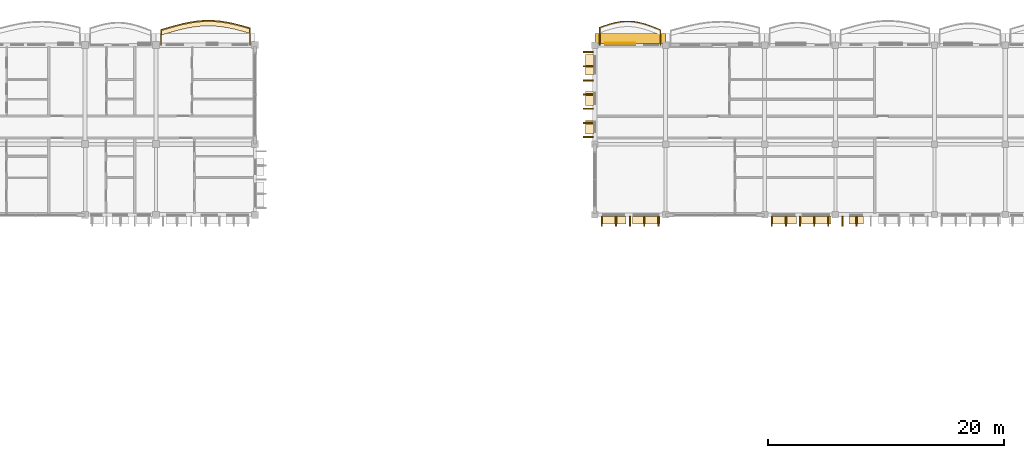
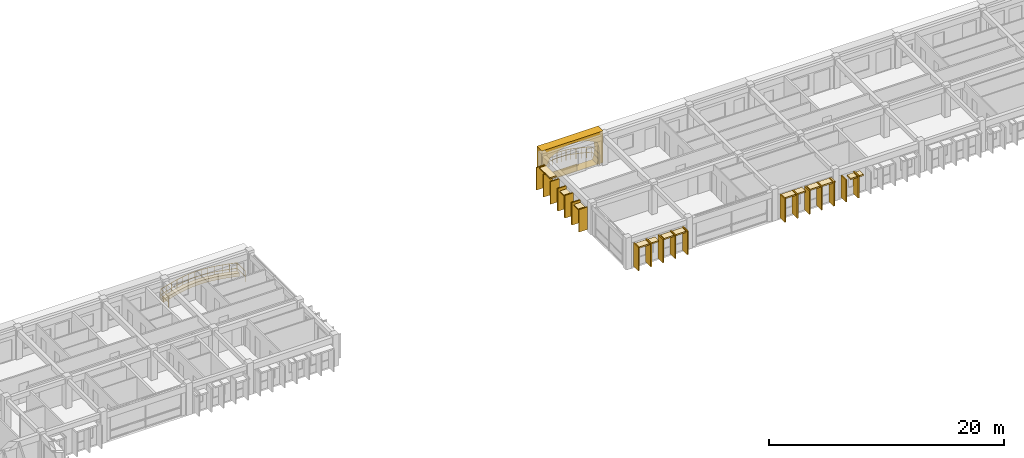
# One storey, part 46 of 54: 30 coverings, 2 railings.
"""IFC4 building model written with IfcOpenShell, lengths in metres."""

from ifc_helpers import new_model, si_unit, direction, frame, origin, origin_2d, place, context, subcontext, project, spatial, polyline, rectangle, outline, extrude, material, layer, layer_set, type_object, element, save


model = new_model("IFC4")

# Units and contexts
model_context = context("Model", 3, precision=1e-05, world=origin(), true_north=direction((0.0, 1.0)))
body_context = subcontext(model_context, "Body", "Model", "MODEL_VIEW")
ifc_project = project(units=[si_unit("LENGTHUNIT", "METRE"), si_unit("AREAUNIT", "SQUARE_METRE"), si_unit("VOLUMEUNIT", "CUBIC_METRE"), si_unit("PLANEANGLEUNIT", "RADIAN"), si_unit("MASSUNIT", "GRAM", prefix="KILO"), si_unit("THERMODYNAMICTEMPERATUREUNIT", "KELVIN")], contexts=[model_context])

# Site, building, storey
site_placement = place(None, origin())
site = spatial("IfcSite", under=ifc_project, at=site_placement, CompositionType="ELEMENT")
building_placement = place(site_placement, origin())
building = spatial("IfcBuilding", under=site, at=building_placement, Name="Thalorik Housing Commons", CompositionType="ELEMENT")
storey_placement = place(building_placement, frame((0.0, 0.0, 31.199951171875)))
storey = spatial("IfcBuildingStorey", under=building, at=storey_placement, Name="L09", CompositionType="ELEMENT", Elevation=31.199951171875)

# Coverings
ifc_material_1 = material(Name="Precast concrete C40/50", Category="concrete")
ifc_layer_1 = layer(ifc_material_1, 0.85009765625, Name="Precast concrete C40/50", Category="concrete")
ifc_layer_set_1 = layer_set([ifc_layer_1], Name="Precast concrete C40/50")
covering_type_1 = type_object("IfcCoveringType", Name="ARC-CLD-CUSH-850", PredefinedType="CLADDING", material=ifc_layer_set_1)
covering_1_placement = place(storey_placement, frame((83.39990234375, 124.142578125, 0.0), z_axis=(0.0, 0.0, 1.0), x_axis=(-1.0, 0.0, 0.0)))
element("IfcCovering", 1, at=covering_1_placement, inside=storey, type_object=covering_type_1, Name="L09 White Precast Curved Cushion Bay Frame 2910", PredefinedType="CLADDING", context=body_context, shape_type="SweptSolid", body=[
    extrude(outline(polyline([(-3.0, 0.0), (3.0, 0.0), (3.0, 3.300048828125), (-3.0, 3.300048828125), (-3.0, 0.0)]), holes=[polyline([(2.179931640625, 0.02490234375), (2.385498046875, 0.404296875), (2.5087890625, 0.783203125), (2.550048828125, 1.16259765625), (2.5087890625, 1.541748046875), (2.385498046875, 1.9208984375), (2.179931640625, 2.300048828125), (1.7958984375, 2.525390625), (1.41162109375, 2.7021484375), (1.027587890625, 2.845458984375), (0.643310546875, 2.951904296875), (0.25927734375, 3.017822265625), (-0.125, 3.0400390625), (-0.50927734375, 3.017822265625), (-0.893310546875, 2.951904296875), (-1.277587890625, 2.845458984375), (-1.66162109375, 2.7021484375), (-2.0458984375, 2.525390625), (-2.429931640625, 2.300048828125), (-2.55029296875, 1.9208984375), (-2.62255859375, 1.541748046875), (-2.646484375, 1.16259765625), (-2.62255859375, 0.783203125), (-2.55029296875, 0.404296875), (-2.429931640625, 0.02490234375), (2.179931640625, 0.02490234375)])]), frame((0.0, 0.425048828125, 0.0), z_axis=(0.0, -1.0, 0.0), x_axis=(1.0, 0.0, 0.0)), (0.0, 0.0, 1.0), 0.85009765625),
])
ifc_layer_2 = layer(ifc_material_1, 0.85009765625, Name="Precast concrete C40/50", Category="concrete")
ifc_layer_set_2 = layer_set([ifc_layer_2], Name="Precast concrete C40/50")
covering_type_2 = type_object("IfcCoveringType", Name="ARC-CLD-FIN-850", PredefinedType="CLADDING", material=ifc_layer_set_2)
for number, where, z_axis, x_axis, name in (
    (2, (79.857421875, 123.0, 0.0400390625), (0.0, 0.0, 1.0), (0.0, -1.0, 0.0), "L09 Courtyard Precast Vertical Brise-Soleil Fin 2912"),
    (3, (79.857421875, 121.800048828125, 0.0400390625), (0.0, 0.0, 1.0), (0.0, -1.0, 0.0), "L09 Courtyard Precast Vertical Brise-Soleil Fin 2913"),
    (4, (79.857421875, 120.60009765625, 0.0400390625), (0.0, 0.0, 1.0), (0.0, -1.0, 0.0), "L09 Courtyard Precast Vertical Brise-Soleil Fin 2914"),
    (5, (79.857421875, 119.39990234375, 0.0400390625), (0.0, 0.0, 1.0), (0.0, -1.0, 0.0), "L09 Courtyard Precast Vertical Brise-Soleil Fin 2915"),
    (6, (79.857421875, 118.199951171875, 0.0400390625), (0.0, 0.0, 1.0), (0.0, -1.0, 0.0), "L09 Courtyard Precast Vertical Brise-Soleil Fin 2916"),
    (7, (79.857421875, 117.0, 0.0400390625), (0.0, 0.0, 1.0), (0.0, -1.0, 0.0), "L09 Courtyard Precast Vertical Brise-Soleil Fin 2917"),
    (8, (79.857421875, 115.800048828125, 0.0400390625), (0.0, 0.0, 1.0), (0.0, -1.0, 0.0), "L09 Courtyard Precast Vertical Brise-Soleil Fin 2918"),
):
    element("IfcCovering", number, at=place(storey_placement, frame(where, z_axis=z_axis, x_axis=x_axis)), inside=storey, type_object=covering_type_2, Name=name, PredefinedType="CLADDING", context=body_context, shape_type="SweptSolid", body=[
        extrude(rectangle(XDim=0.110107421875, YDim=0.85009765625, at=origin_2d()), origin(), (0.0, 0.0, 1.0), 2.344970703125),
    ])
for number, where, z_axis, x_axis, name in (
    (9, (81.0, 108.657470703125, 0.0400390625), (0.0, 0.0, 1.0), (1.0, 0.0, 0.0), "L09 Courtyard Precast Vertical Brise-Soleil Fin 2922"),
    (10, (82.199951171875, 108.657470703125, 0.0400390625), (0.0, 0.0, 1.0), (1.0, 0.0, 0.0), "L09 Courtyard Precast Vertical Brise-Soleil Fin 2923"),
    (11, (83.39990234375, 108.657470703125, 0.0400390625), (0.0, 0.0, 1.0), (1.0, 0.0, 0.0), "L09 Courtyard Precast Vertical Brise-Soleil Fin 2924"),
    (12, (84.60009765625, 108.657470703125, 0.0400390625), (0.0, 0.0, 1.0), (1.0, 0.0, 0.0), "L09 Courtyard Precast Vertical Brise-Soleil Fin 2925"),
    (13, (85.800048828125, 108.657470703125, 0.0400390625), (0.0, 0.0, 1.0), (1.0, 0.0, 0.0), "L09 Courtyard Precast Vertical Brise-Soleil Fin 2926"),
    (14, (95.39990234375, 108.657470703125, 0.0400390625), (0.0, 0.0, 1.0), (1.0, 0.0, 0.0), "L09 Courtyard Precast Vertical Brise-Soleil Fin 2929"),
    (15, (96.60009765625, 108.657470703125, 0.0400390625), (0.0, 0.0, 1.0), (1.0, 0.0, 0.0), "L09 Courtyard Precast Vertical Brise-Soleil Fin 2930"),
    (16, (97.800048828125, 108.657470703125, 0.0400390625), (0.0, 0.0, 1.0), (1.0, 0.0, 0.0), "L09 Courtyard Precast Vertical Brise-Soleil Fin 2931"),
    (17, (99.0, 108.657470703125, 0.0400390625), (0.0, 0.0, 1.0), (1.0, 0.0, 0.0), "L09 Courtyard Precast Vertical Brise-Soleil Fin 2932"),
    (18, (100.199951171875, 108.657470703125, 0.0400390625), (0.0, 0.0, 1.0), (1.0, 0.0, 0.0), "L09 Courtyard Precast Vertical Brise-Soleil Fin 2933"),
):
    element("IfcCovering", number, at=place(storey_placement, frame(where, z_axis=z_axis, x_axis=x_axis)), inside=storey, type_object=covering_type_2, Name=name, PredefinedType="CLADDING", context=body_context, shape_type="SweptSolid", body=[
        extrude(rectangle(XDim=0.110107421875, YDim=0.85009765625, at=origin_2d()), origin(), (0.0, 0.0, 1.0), 2.445068359375),
    ])
for number, where, z_axis, x_axis, name in (
    (19, (101.39990234375, 108.657470703125, 0.0400390625), (0.0, 0.0, 1.0), (1.0, 0.0, 0.0), "L09 Courtyard Precast Vertical Brise-Soleil Fin 2936"),
    (20, (102.60009765625, 108.657470703125, 0.0400390625), (0.0, 0.0, 1.0), (1.0, 0.0, 0.0), "L09 Courtyard Precast Vertical Brise-Soleil Fin 2937"),
):
    element("IfcCovering", number, at=place(storey_placement, frame(where, z_axis=z_axis, x_axis=x_axis)), inside=storey, type_object=covering_type_2, Name=name, PredefinedType="CLADDING", context=body_context, shape_type="SweptSolid", body=[
        extrude(rectangle(XDim=0.110107421875, YDim=0.85009765625, at=origin_2d()), origin(), (0.0, 0.0, 1.0), 2.294921875),
    ])
ifc_layer_3 = layer(ifc_material_1, 0.64990234375, Name="Precast concrete C40/50", Category="concrete")
ifc_layer_set_3 = layer_set([ifc_layer_3], Name="Precast concrete C40/50")
covering_type_3 = type_object("IfcCoveringType", Name="ARC-CLD-HOOD-650", PredefinedType="CLADDING", material=ifc_layer_set_3)
covering_2_placement = place(storey_placement, frame((79.95751953125, 121.91748046875, 2.27490234375), z_axis=(0.0, 0.0, 1.0), x_axis=(0.0, -1.0, 0.0)))
element("IfcCovering", 21, at=covering_2_placement, inside=storey, type_object=covering_type_3, Name="L09 Courtyard Precast Window Sun-Hood 2919", PredefinedType="CLADDING", context=body_context, shape_type="SweptSolid", body=[
    extrude(rectangle(XDim=1.739990234375, YDim=0.64990234375, at=origin_2d()), origin(), (0.0, 0.0, 1.0), 0.139892578125),
])
covering_3_placement = place(storey_placement, frame((79.95751953125, 119.072509765625, 1.93994140625), z_axis=(0.0, 0.0, 1.0), x_axis=(0.0, -1.0, 0.0)))
element("IfcCovering", 22, at=covering_3_placement, inside=storey, type_object=covering_type_3, Name="L09 Courtyard Precast Window Sun-Hood 2920", PredefinedType="CLADDING", context=body_context, shape_type="SweptSolid", body=[
    extrude(rectangle(XDim=1.18994140625, YDim=0.64990234375, at=origin_2d()), origin(), (0.0, 0.0, 1.0), 0.139892578125),
])
covering_4_placement = place(storey_placement, frame((79.95751953125, 116.64990234375, 1.990234375), z_axis=(0.0, 0.0, 1.0), x_axis=(0.0, -1.0, 0.0)))
element("IfcCovering", 23, at=covering_4_placement, inside=storey, type_object=covering_type_3, Name="L09 Courtyard Precast Window Sun-Hood 2921", PredefinedType="CLADDING", context=body_context, shape_type="SweptSolid", body=[
    extrude(rectangle(XDim=1.139892578125, YDim=0.64990234375, at=origin_2d()), origin(), (0.0, 0.0, 1.0), 0.139892578125),
])
covering_5_placement = place(storey_placement, frame((82.030029296875, 108.757568359375, 2.2099609375), z_axis=(0.0, 0.0, 1.0), x_axis=(1.0, 0.0, 0.0)))
element("IfcCovering", 24, at=covering_5_placement, inside=storey, type_object=covering_type_3, Name="L09 Courtyard Precast Window Sun-Hood 2927", PredefinedType="CLADDING", context=body_context, shape_type="SweptSolid", body=[
    extrude(rectangle(XDim=2.02001953125, YDim=0.64990234375, at=origin_2d()), origin(), (0.0, 0.0, 1.0), 0.139892578125),
])
covering_6_placement = place(storey_placement, frame((84.77001953125, 108.757568359375, 2.22998046875), z_axis=(0.0, 0.0, 1.0), x_axis=(1.0, 0.0, 0.0)))
element("IfcCovering", 25, at=covering_6_placement, inside=storey, type_object=covering_type_3, Name="L09 Courtyard Precast Window Sun-Hood 2928", PredefinedType="CLADDING", context=body_context, shape_type="SweptSolid", body=[
    extrude(rectangle(XDim=2.360107421875, YDim=0.64990234375, at=origin_2d()), origin(), (0.0, 0.0, 1.0), 0.139892578125),
])
covering_7_placement = place(storey_placement, frame((96.429931640625, 108.757568359375, 2.31005859375), z_axis=(0.0, 0.0, 1.0), x_axis=(1.0, 0.0, 0.0)))
element("IfcCovering", 26, at=covering_7_placement, inside=storey, type_object=covering_type_3, Name="L09 Courtyard Precast Window Sun-Hood 2934", PredefinedType="CLADDING", context=body_context, shape_type="SweptSolid", body=[
    extrude(rectangle(XDim=2.1201171875, YDim=0.64990234375, at=origin_2d()), origin(), (0.0, 0.0, 1.0), 0.139892578125),
])
covering_8_placement = place(storey_placement, frame((99.169921875, 108.757568359375, 2.31005859375), z_axis=(0.0, 0.0, 1.0), x_axis=(1.0, 0.0, 0.0)))
element("IfcCovering", 27, at=covering_8_placement, inside=storey, type_object=covering_type_3, Name="L09 Courtyard Precast Window Sun-Hood 2935", PredefinedType="CLADDING", context=body_context, shape_type="SweptSolid", body=[
    extrude(rectangle(XDim=2.47998046875, YDim=0.64990234375, at=origin_2d()), origin(), (0.0, 0.0, 1.0), 0.139892578125),
])
covering_9_placement = place(storey_placement, frame((102.554931640625, 108.757568359375, 2.0400390625), z_axis=(0.0, 0.0, 1.0), x_axis=(1.0, 0.0, 0.0)))
element("IfcCovering", 28, at=covering_9_placement, inside=storey, type_object=covering_type_3, Name="L09 Courtyard Precast Window Sun-Hood 2943", PredefinedType="CLADDING", context=body_context, shape_type="SweptSolid", body=[
    extrude(rectangle(XDim=1.239990234375, YDim=0.64990234375, at=origin_2d()), origin(), (0.0, 0.0, 1.0), 0.139892578125),
])
ifc_material_2 = material(Name="Terracotta red mineral fibre-cement panel", Category="masonry")
ifc_layer_4 = layer(ifc_material_2, 0.054931640625, Name="Terracotta red mineral fibre-cement panel", Category="masonry")
ifc_layer_set_4 = layer_set([ifc_layer_4], Name="Terracotta red mineral fibre-cement panel")
covering_type_4 = type_object("IfcCoveringType", Name="ARC-CLD-RED-55", PredefinedType="CLADDING", material=ifc_layer_set_4)
covering_10_placement = place(storey_placement, frame((82.56005859375, 123.75, 0.05029296875), z_axis=(0.0, 0.0, 1.0), x_axis=(-1.0, 0.0, 0.0)))
element("IfcCovering", 29, at=covering_10_placement, inside=storey, type_object=covering_type_4, Name="L09 De Stijl Recessed Window Spandrel 2911", PredefinedType="CLADDING", context=body_context, shape_type="SweptSolid", body=[
    extrude(rectangle(XDim=2.580078125, YDim=0.054931640625, at=origin_2d()), origin(), (0.0, 0.0, 1.0), 0.699951171875),
])
ifc_material_3 = material(Name="Planted vegetated substrate and terracotta trough", Category="masonry")
ifc_layer_5 = layer(ifc_material_3, 0.340087890625, Name="Planted vegetated substrate and terracotta trough", Category="masonry")
ifc_layer_set_5 = layer_set([ifc_layer_5], Name="Planted vegetated substrate and terracotta trough")
covering_type_5 = type_object("IfcCoveringType", Name="ARC-COV-PLANTER", PredefinedType="USERDEFINED", material=ifc_layer_set_5)
covering_11_placement = place(storey_placement, origin())
element("IfcCovering", 30, at=covering_11_placement, inside=storey, type_object=covering_type_5, Name="L09 Balcony Slab-Edge Planted Trough 5381", ObjectType="PLANTER", PredefinedType="USERDEFINED", context=body_context, shape_type="SweptSolid", body=[
    extrude(outline(polyline([(51.179931640625, 124.9638671875), (50.550048828125, 125.14697265625), (49.919921875, 125.3125), (49.2900390625, 125.448974609375), (48.659912109375, 125.54736328125), (48.030029296875, 125.6005859375), (47.39990234375, 125.60546875), (46.77001953125, 125.561279296875), (46.139892578125, 125.4716796875), (45.510009765625, 125.342529296875), (44.8798828125, 125.183349609375), (44.25, 125.0048828125), (43.6201171875, 124.8193359375), (43.6201171875, 124.439453125), (44.25, 124.624755859375), (44.8798828125, 124.80322265625), (45.510009765625, 124.962646484375), (46.139892578125, 125.091796875), (46.77001953125, 125.181396484375), (47.39990234375, 125.225341796875), (48.030029296875, 125.220703125), (48.659912109375, 125.16748046875), (49.2900390625, 125.069091796875), (49.919921875, 124.932373046875), (50.550048828125, 124.766845703125), (51.179931640625, 124.583740234375), (51.179931640625, 124.9638671875)])), origin(), (0.0, 0.0, 1.0), 0.340087890625),
])

# Railings
ifc_material_4 = material(Name="Steel S355", Category="steel")
railing_type_1 = type_object("IfcRailingType", Name="ARC-RL-BAL-112", PredefinedType="BALUSTRADE", material=ifc_material_4)
railing_1_placement = place(storey_placement, frame((85.97998046875, 123.60009765625, 0.0)))
element("IfcRailing", 31, at=railing_1_placement, inside=storey, type_object=railing_type_1, Name="L09 Cushion Balcony Guardrail 210", PredefinedType="BALUSTRADE", context=body_context, shape_type="SweptSolid", body=[
    extrude(rectangle(XDim=0.050048828125, YDim=0.050048828125, at=origin_2d()), frame((0.0, 0.0, 1.09521484375), z_axis=(0.0, 1.0, 0.0), x_axis=(-1.0, 0.0, 0.0)), (0.0, 0.0, 1.0), 1.2783203125),
    extrude(rectangle(XDim=0.050048828125, YDim=0.050048828125, at=origin_2d()), frame((0.0, 0.0, 0.53515625), z_axis=(0.0, 1.0, 0.0), x_axis=(-1.0, 0.0, 0.0)), (0.0, 0.0, 1.0), 1.2783203125),
    extrude(rectangle(XDim=0.050048828125, YDim=0.050048828125, at=origin_2d()), frame((0.0, 1.2783203125, 1.09521484375), z_axis=(-0.926541092469, 0.376193572468, 0.0), x_axis=(-0.376193572468, -0.926541092469, 0.0)), (0.0, 0.0, 1.0), 0.464111328125),
    extrude(rectangle(XDim=0.050048828125, YDim=0.050048828125, at=origin_2d()), frame((0.0, 1.2783203125, 0.53515625), z_axis=(-0.926541092469, 0.376193572468, 0.0), x_axis=(-0.376193572468, -0.926541092469, 0.0)), (0.0, 0.0, 1.0), 0.464111328125),
    extrude(rectangle(XDim=0.050048828125, YDim=0.050048828125, at=origin_2d()), frame((-0.429931640625, 1.452880859375, 1.09521484375), z_axis=(-0.9328669237, 0.360221185756, 0.0), x_axis=(-0.360221185756, -0.9328669237, 0.0)), (0.0, 0.0, 1.0), 0.4609375),
    extrude(rectangle(XDim=0.050048828125, YDim=0.050048828125, at=origin_2d()), frame((-0.429931640625, 1.452880859375, 0.53515625), z_axis=(-0.9328669237, 0.360221185756, 0.0), x_axis=(-0.360221185756, -0.9328669237, 0.0)), (0.0, 0.0, 1.0), 0.4609375),
    extrude(rectangle(XDim=0.050048828125, YDim=0.050048828125, at=origin_2d()), frame((-0.85986328125, 1.618896484375, 1.09521484375), z_axis=(-0.945964768133, 0.324269421085, 0.0), x_axis=(-0.324269421085, -0.945964768133, 0.0)), (0.0, 0.0, 1.0), 0.454833984375),
    extrude(rectangle(XDim=0.050048828125, YDim=0.050048828125, at=origin_2d()), frame((-0.85986328125, 1.618896484375, 0.53515625), z_axis=(-0.945964768133, 0.324269421085, 0.0), x_axis=(-0.324269421085, -0.945964768133, 0.0)), (0.0, 0.0, 1.0), 0.454833984375),
    extrude(rectangle(XDim=0.050048828125, YDim=0.050048828125, at=origin_2d()), frame((-1.2900390625, 1.766357421875, 1.09521484375), z_axis=(-0.963682368492, 0.267051104954, 0.0), x_axis=(-0.267051104954, -0.963682368492, 0.0)), (0.0, 0.0, 1.0), 0.446044921875),
    extrude(rectangle(XDim=0.050048828125, YDim=0.050048828125, at=origin_2d()), frame((-1.2900390625, 1.766357421875, 0.53515625), z_axis=(-0.963682368492, 0.267051104954, 0.0), x_axis=(-0.267051104954, -0.963682368492, 0.0)), (0.0, 0.0, 1.0), 0.446044921875),
    extrude(rectangle(XDim=0.050048828125, YDim=0.050048828125, at=origin_2d()), frame((-1.719970703125, 1.885498046875, 1.09521484375), z_axis=(-0.981658882088, 0.190645847629, 0.0), x_axis=(-0.190645847629, -0.981658882088, 0.0)), (0.0, 0.0, 1.0), 0.43798828125),
    extrude(rectangle(XDim=0.050048828125, YDim=0.050048828125, at=origin_2d()), frame((-1.719970703125, 1.885498046875, 0.53515625), z_axis=(-0.981658882088, 0.190645847629, 0.0), x_axis=(-0.190645847629, -0.981658882088, 0.0)), (0.0, 0.0, 1.0), 0.43798828125),
    extrude(rectangle(XDim=0.050048828125, YDim=0.050048828125, at=origin_2d()), frame((-2.14990234375, 1.968994140625, 1.09521484375), z_axis=(-0.995104063959, 0.098832696477, 0.0), x_axis=(-0.098832696477, -0.995104063959, 0.0)), (0.0, 0.0, 1.0), 0.432373046875),
    extrude(rectangle(XDim=0.050048828125, YDim=0.050048828125, at=origin_2d()), frame((-2.14990234375, 1.968994140625, 0.53515625), z_axis=(-0.995104063959, 0.098832696477, 0.0), x_axis=(-0.098832696477, -0.995104063959, 0.0)), (0.0, 0.0, 1.0), 0.432373046875),
    extrude(rectangle(XDim=0.050048828125, YDim=0.050048828125, at=origin_2d()), frame((-2.580078125, 2.01171875, 1.09521484375), z_axis=(-1.0, 0.0, 0.0), x_axis=(0.0, -1.0, 0.0)), (0.0, 0.0, 1.0), 0.429931640625),
    extrude(rectangle(XDim=0.050048828125, YDim=0.050048828125, at=origin_2d()), frame((-2.580078125, 2.01171875, 0.53515625), z_axis=(-1.0, 0.0, 0.0), x_axis=(0.0, -1.0, 0.0)), (0.0, 0.0, 1.0), 0.429931640625),
    extrude(rectangle(XDim=0.050048828125, YDim=0.050048828125, at=origin_2d()), frame((-3.010009765625, 2.01171875, 1.09521484375), z_axis=(-0.995263970634, -0.097209200993, 0.0), x_axis=(0.097209200993, -0.995263970634, 0.0)), (0.0, 0.0, 1.0), 0.431884765625),
    extrude(rectangle(XDim=0.050048828125, YDim=0.050048828125, at=origin_2d()), frame((-3.010009765625, 2.01171875, 0.53515625), z_axis=(-0.995263970634, -0.097209200993, 0.0), x_axis=(0.097209200993, -0.995263970634, 0.0)), (0.0, 0.0, 1.0), 0.431884765625),
    extrude(rectangle(XDim=0.050048828125, YDim=0.050048828125, at=origin_2d()), frame((-3.43994140625, 1.9697265625, 1.09521484375), z_axis=(-0.982789955867, -0.184726561835, 0.0), x_axis=(0.184726561835, -0.982789955867, 0.0)), (0.0, 0.0, 1.0), 0.4375),
    extrude(rectangle(XDim=0.050048828125, YDim=0.050048828125, at=origin_2d()), frame((-3.43994140625, 1.9697265625, 0.53515625), z_axis=(-0.982789955867, -0.184726561835, 0.0), x_axis=(0.184726561835, -0.982789955867, 0.0)), (0.0, 0.0, 1.0), 0.4375),
    extrude(rectangle(XDim=0.050048828125, YDim=0.050048828125, at=origin_2d()), frame((-3.869873046875, 1.888916015625, 1.09521484375), z_axis=(-0.967166905312, -0.254142041521, 0.0), x_axis=(0.254142041521, -0.967166905312, 0.0)), (0.0, 0.0, 1.0), 0.44482421875),
    extrude(rectangle(XDim=0.050048828125, YDim=0.050048828125, at=origin_2d()), frame((-3.869873046875, 1.888916015625, 0.53515625), z_axis=(-0.967166905312, -0.254142041521, 0.0), x_axis=(0.254142041521, -0.967166905312, 0.0)), (0.0, 0.0, 1.0), 0.44482421875),
    extrude(rectangle(XDim=0.050048828125, YDim=0.050048828125, at=origin_2d()), frame((-4.300048828125, 1.77587890625, 1.09521484375), z_axis=(-0.95234876715, -0.305011189479, 0.0), x_axis=(0.305011189479, -0.95234876715, 0.0)), (0.0, 0.0, 1.0), 0.451416015625),
    extrude(rectangle(XDim=0.050048828125, YDim=0.050048828125, at=origin_2d()), frame((-4.300048828125, 1.77587890625, 0.53515625), z_axis=(-0.95234876715, -0.305011189479, 0.0), x_axis=(0.305011189479, -0.95234876715, 0.0)), (0.0, 0.0, 1.0), 0.451416015625),
    extrude(rectangle(XDim=0.050048828125, YDim=0.050048828125, at=origin_2d()), frame((-4.72998046875, 1.63818359375, 1.09521484375), z_axis=(-0.942574576093, -0.333995761205, 0.0), x_axis=(0.333995761205, -0.942574576093, 0.0)), (0.0, 0.0, 1.0), 0.4560546875),
    extrude(rectangle(XDim=0.050048828125, YDim=0.050048828125, at=origin_2d()), frame((-4.72998046875, 1.63818359375, 0.53515625), z_axis=(-0.942574576093, -0.333995761205, 0.0), x_axis=(0.333995761205, -0.942574576093, 0.0)), (0.0, 0.0, 1.0), 0.4560546875),
    extrude(rectangle(XDim=0.050048828125, YDim=0.050048828125, at=origin_2d()), frame((-5.159912109375, 1.48583984375, 1.09521484375), z_axis=(0.0, -1.0, 0.0), x_axis=(1.0, 0.0, 0.0)), (0.0, 0.0, 1.0), 1.48583984375),
    extrude(rectangle(XDim=0.050048828125, YDim=0.050048828125, at=origin_2d()), frame((-5.159912109375, 1.48583984375, 0.53515625), z_axis=(0.0, -1.0, 0.0), x_axis=(1.0, 0.0, 0.0)), (0.0, 0.0, 1.0), 1.48583984375),
    extrude(rectangle(XDim=0.0419921875, YDim=0.0419921875, at=origin_2d()), origin(), (0.0, 0.0, 1.0), 1.070068359375),
    extrude(rectangle(XDim=0.0419921875, YDim=0.0419921875, at=origin_2d()), frame((0.0, 1.2783203125, 0.0)), (0.0, 0.0, 1.0), 1.070068359375),
    extrude(rectangle(XDim=0.0419921875, YDim=0.0419921875, at=origin_2d()), frame((-0.429931640625, 1.452880859375, 0.0)), (0.0, 0.0, 1.0), 1.070068359375),
    extrude(rectangle(XDim=0.0419921875, YDim=0.0419921875, at=origin_2d()), frame((-0.85986328125, 1.618896484375, 0.0)), (0.0, 0.0, 1.0), 1.070068359375),
    extrude(rectangle(XDim=0.0419921875, YDim=0.0419921875, at=origin_2d()), frame((-1.2900390625, 1.766357421875, 0.0)), (0.0, 0.0, 1.0), 1.070068359375),
    extrude(rectangle(XDim=0.0419921875, YDim=0.0419921875, at=origin_2d()), frame((-1.719970703125, 1.885498046875, 0.0)), (0.0, 0.0, 1.0), 1.070068359375),
    extrude(rectangle(XDim=0.0419921875, YDim=0.0419921875, at=origin_2d()), frame((-2.14990234375, 1.968994140625, 0.0)), (0.0, 0.0, 1.0), 1.070068359375),
    extrude(rectangle(XDim=0.0419921875, YDim=0.0419921875, at=origin_2d()), frame((-2.580078125, 2.01171875, 0.0)), (0.0, 0.0, 1.0), 1.070068359375),
    extrude(rectangle(XDim=0.0419921875, YDim=0.0419921875, at=origin_2d()), frame((-3.010009765625, 2.01171875, 0.0)), (0.0, 0.0, 1.0), 1.070068359375),
    extrude(rectangle(XDim=0.0419921875, YDim=0.0419921875, at=origin_2d()), frame((-3.43994140625, 1.9697265625, 0.0)), (0.0, 0.0, 1.0), 1.070068359375),
    extrude(rectangle(XDim=0.0419921875, YDim=0.0419921875, at=origin_2d()), frame((-3.869873046875, 1.888916015625, 0.0)), (0.0, 0.0, 1.0), 1.070068359375),
    extrude(rectangle(XDim=0.0419921875, YDim=0.0419921875, at=origin_2d()), frame((-4.300048828125, 1.77587890625, 0.0)), (0.0, 0.0, 1.0), 1.070068359375),
    extrude(rectangle(XDim=0.0419921875, YDim=0.0419921875, at=origin_2d()), frame((-4.72998046875, 1.63818359375, 0.0)), (0.0, 0.0, 1.0), 1.070068359375),
    extrude(rectangle(XDim=0.0419921875, YDim=0.0419921875, at=origin_2d()), frame((-5.159912109375, 1.48583984375, 0.0)), (0.0, 0.0, 1.0), 1.070068359375),
    extrude(rectangle(XDim=0.0419921875, YDim=0.0419921875, at=origin_2d()), frame((-5.159912109375, 0.0, 0.0)), (0.0, 0.0, 1.0), 1.070068359375),
])
railing_type_2 = type_object("IfcRailingType", Name="ARC-RL-BAL-115", PredefinedType="BALUSTRADE", material=ifc_material_4)
railing_2_placement = place(storey_placement, frame((51.179931640625, 123.60009765625, 0.0)))
element("IfcRailing", 32, at=railing_2_placement, inside=storey, type_object=railing_type_2, Name="L09 Cushion Balcony Guardrail 65", PredefinedType="BALUSTRADE", context=body_context, shape_type="SweptSolid", body=[
    extrude(rectangle(XDim=0.050048828125, YDim=0.050048828125, at=origin_2d()), frame((0.0, 0.0, 1.125), z_axis=(0.0, 1.0, 0.0), x_axis=(-1.0, 0.0, 0.0)), (0.0, 0.0, 1.0), 1.43359375),
    extrude(rectangle(XDim=0.050048828125, YDim=0.050048828125, at=origin_2d()), frame((0.0, 0.0, 0.5498046875), z_axis=(0.0, 1.0, 0.0), x_axis=(-1.0, 0.0, 0.0)), (0.0, 0.0, 1.0), 1.43359375),
    extrude(rectangle(XDim=0.050048828125, YDim=0.050048828125, at=origin_2d()), frame((0.0, 1.43359375, 1.125), z_axis=(-0.960249728562, 0.279142362954, 0.0), x_axis=(-0.279142362954, -0.960249728562, 0.0)), (0.0, 0.0, 1.0), 0.656005859375),
    extrude(rectangle(XDim=0.050048828125, YDim=0.050048828125, at=origin_2d()), frame((0.0, 1.43359375, 0.5498046875), z_axis=(-0.960249728562, 0.279142362954, 0.0), x_axis=(-0.279142362954, -0.960249728562, 0.0)), (0.0, 0.0, 1.0), 0.656005859375),
    extrude(rectangle(XDim=0.050048828125, YDim=0.050048828125, at=origin_2d()), frame((-0.6298828125, 1.61669921875, 1.125), z_axis=(-0.967186087483, 0.254069030342, 0.0), x_axis=(-0.254069030342, -0.967186087483, 0.0)), (0.0, 0.0, 1.0), 0.651611328125),
    extrude(rectangle(XDim=0.050048828125, YDim=0.050048828125, at=origin_2d()), frame((-0.6298828125, 1.61669921875, 0.5498046875), z_axis=(-0.967186087483, 0.254069030342, 0.0), x_axis=(-0.254069030342, -0.967186087483, 0.0)), (0.0, 0.0, 1.0), 0.651611328125),
    extrude(rectangle(XDim=0.050048828125, YDim=0.050048828125, at=origin_2d()), frame((-1.260009765625, 1.7822265625, 1.125), z_axis=(-0.977244684611, 0.212115125342, 0.0), x_axis=(-0.212115125342, -0.977244684611, 0.0)), (0.0, 0.0, 1.0), 0.64453125),
    extrude(rectangle(XDim=0.050048828125, YDim=0.050048828125, at=origin_2d()), frame((-1.260009765625, 1.7822265625, 0.5498046875), z_axis=(-0.977244684611, 0.212115125342, 0.0), x_axis=(-0.212115125342, -0.977244684611, 0.0)), (0.0, 0.0, 1.0), 0.64453125),
    extrude(rectangle(XDim=0.050048828125, YDim=0.050048828125, at=origin_2d()), frame((-1.889892578125, 1.9189453125, 1.125), z_axis=(-0.988028449875, 0.154271780434, 0.0), x_axis=(-0.154271780434, -0.988028449875, 0.0)), (0.0, 0.0, 1.0), 0.6376953125),
    extrude(rectangle(XDim=0.050048828125, YDim=0.050048828125, at=origin_2d()), frame((-1.889892578125, 1.9189453125, 0.5498046875), z_axis=(-0.988028449875, 0.154271780434, 0.0), x_axis=(-0.154271780434, -0.988028449875, 0.0)), (0.0, 0.0, 1.0), 0.6376953125),
    extrude(rectangle(XDim=0.050048828125, YDim=0.050048828125, at=origin_2d()), frame((-2.52001953125, 2.017333984375, 1.125), z_axis=(-0.99644920467, 0.084196095588, 0.0), x_axis=(-0.084196095588, -0.99644920467, 0.0)), (0.0, 0.0, 1.0), 0.632080078125),
    extrude(rectangle(XDim=0.050048828125, YDim=0.050048828125, at=origin_2d()), frame((-2.52001953125, 2.017333984375, 0.5498046875), z_axis=(-0.99644920467, 0.084196095588, 0.0), x_axis=(-0.084196095588, -0.99644920467, 0.0)), (0.0, 0.0, 1.0), 0.632080078125),
    extrude(rectangle(XDim=0.050048828125, YDim=0.050048828125, at=origin_2d()), frame((-3.14990234375, 2.070556640625, 1.125), z_axis=(-0.99997290535, 0.007361288338, 0.0), x_axis=(-0.007361288338, -0.99997290535, 0.0)), (0.0, 0.0, 1.0), 0.630126953125),
    extrude(rectangle(XDim=0.050048828125, YDim=0.050048828125, at=origin_2d()), frame((-3.14990234375, 2.070556640625, 0.5498046875), z_axis=(-0.99997290535, 0.007361288338, 0.0), x_axis=(-0.007361288338, -0.99997290535, 0.0)), (0.0, 0.0, 1.0), 0.630126953125),
    extrude(rectangle(XDim=0.050048828125, YDim=0.050048828125, at=origin_2d()), frame((-3.780029296875, 2.0751953125, 1.125), z_axis=(-0.997575100836, -0.069598262849, 0.0), x_axis=(0.069598262849, -0.997575100836, 0.0)), (0.0, 0.0, 1.0), 0.63134765625),
    extrude(rectangle(XDim=0.050048828125, YDim=0.050048828125, at=origin_2d()), frame((-3.780029296875, 2.0751953125, 0.5498046875), z_axis=(-0.997575100836, -0.069598262849, 0.0), x_axis=(0.069598262849, -0.997575100836, 0.0)), (0.0, 0.0, 1.0), 0.63134765625),
    extrude(rectangle(XDim=0.050048828125, YDim=0.050048828125, at=origin_2d()), frame((-4.409912109375, 2.03125, 1.125), z_axis=(-0.990041345096, -0.140776897966, 0.0), x_axis=(0.140776897966, -0.990041345096, 0.0)), (0.0, 0.0, 1.0), 0.636474609375),
    extrude(rectangle(XDim=0.050048828125, YDim=0.050048828125, at=origin_2d()), frame((-4.409912109375, 2.03125, 0.5498046875), z_axis=(-0.990041345096, -0.140776897966, 0.0), x_axis=(0.140776897966, -0.990041345096, 0.0)), (0.0, 0.0, 1.0), 0.636474609375),
    extrude(rectangle(XDim=0.050048828125, YDim=0.050048828125, at=origin_2d()), frame((-5.0400390625, 1.941650390625, 1.125), z_axis=(-0.979619945128, -0.200860058517, 0.0), x_axis=(0.200860058517, -0.979619945128, 0.0)), (0.0, 0.0, 1.0), 0.64306640625),
    extrude(rectangle(XDim=0.050048828125, YDim=0.050048828125, at=origin_2d()), frame((-5.0400390625, 1.941650390625, 0.5498046875), z_axis=(-0.979619945128, -0.200860058517, 0.0), x_axis=(0.200860058517, -0.979619945128, 0.0)), (0.0, 0.0, 1.0), 0.64306640625),
    extrude(rectangle(XDim=0.050048828125, YDim=0.050048828125, at=origin_2d()), frame((-5.669921875, 1.8125, 1.125), z_axis=(-0.969542950291, -0.244921349705, 0.0), x_axis=(0.244921349705, -0.969542950291, 0.0)), (0.0, 0.0, 1.0), 0.64990234375),
    extrude(rectangle(XDim=0.050048828125, YDim=0.050048828125, at=origin_2d()), frame((-5.669921875, 1.8125, 0.5498046875), z_axis=(-0.969542950291, -0.244921349705, 0.0), x_axis=(0.244921349705, -0.969542950291, 0.0)), (0.0, 0.0, 1.0), 0.64990234375),
    extrude(rectangle(XDim=0.050048828125, YDim=0.050048828125, at=origin_2d()), frame((-6.300048828125, 1.6533203125, 1.125), z_axis=(-0.962028866252, -0.272947724844, 0.0), x_axis=(0.272947724844, -0.962028866252, 0.0)), (0.0, 0.0, 1.0), 0.65478515625),
    extrude(rectangle(XDim=0.050048828125, YDim=0.050048828125, at=origin_2d()), frame((-6.300048828125, 1.6533203125, 0.5498046875), z_axis=(-0.962028866252, -0.272947724844, 0.0), x_axis=(0.272947724844, -0.962028866252, 0.0)), (0.0, 0.0, 1.0), 0.65478515625),
    extrude(rectangle(XDim=0.050048828125, YDim=0.050048828125, at=origin_2d()), frame((-6.929931640625, 1.474609375, 1.125), z_axis=(-0.959347736603, -0.282226717861, 0.0), x_axis=(0.282226717861, -0.959347736603, 0.0)), (0.0, 0.0, 1.0), 0.656494140625),
    extrude(rectangle(XDim=0.050048828125, YDim=0.050048828125, at=origin_2d()), frame((-6.929931640625, 1.474609375, 0.5498046875), z_axis=(-0.959347736603, -0.282226717861, 0.0), x_axis=(0.282226717861, -0.959347736603, 0.0)), (0.0, 0.0, 1.0), 0.656494140625),
    extrude(rectangle(XDim=0.050048828125, YDim=0.050048828125, at=origin_2d()), frame((-7.559814453125, 1.289306640625, 1.125), z_axis=(0.0, -1.0, 0.0), x_axis=(1.0, 0.0, 0.0)), (0.0, 0.0, 1.0), 1.289306640625),
    extrude(rectangle(XDim=0.050048828125, YDim=0.050048828125, at=origin_2d()), frame((-7.559814453125, 1.289306640625, 0.5498046875), z_axis=(0.0, -1.0, 0.0), x_axis=(1.0, 0.0, 0.0)), (0.0, 0.0, 1.0), 1.289306640625),
    extrude(rectangle(XDim=0.0419921875, YDim=0.0419921875, at=origin_2d()), origin(), (0.0, 0.0, 1.0), 1.099853515625),
    extrude(rectangle(XDim=0.0419921875, YDim=0.0419921875, at=origin_2d()), frame((0.0, 1.43359375, 0.0)), (0.0, 0.0, 1.0), 1.099853515625),
    extrude(rectangle(XDim=0.0419921875, YDim=0.0419921875, at=origin_2d()), frame((-0.6298828125, 1.61669921875, 0.0)), (0.0, 0.0, 1.0), 1.099853515625),
    extrude(rectangle(XDim=0.0419921875, YDim=0.0419921875, at=origin_2d()), frame((-1.260009765625, 1.7822265625, 0.0)), (0.0, 0.0, 1.0), 1.099853515625),
    extrude(rectangle(XDim=0.0419921875, YDim=0.0419921875, at=origin_2d()), frame((-1.889892578125, 1.9189453125, 0.0)), (0.0, 0.0, 1.0), 1.099853515625),
    extrude(rectangle(XDim=0.0419921875, YDim=0.0419921875, at=origin_2d()), frame((-2.52001953125, 2.017333984375, 0.0)), (0.0, 0.0, 1.0), 1.099853515625),
    extrude(rectangle(XDim=0.0419921875, YDim=0.0419921875, at=origin_2d()), frame((-3.14990234375, 2.070556640625, 0.0)), (0.0, 0.0, 1.0), 1.099853515625),
    extrude(rectangle(XDim=0.0419921875, YDim=0.0419921875, at=origin_2d()), frame((-3.780029296875, 2.0751953125, 0.0)), (0.0, 0.0, 1.0), 1.099853515625),
    extrude(rectangle(XDim=0.0419921875, YDim=0.0419921875, at=origin_2d()), frame((-4.409912109375, 2.03125, 0.0)), (0.0, 0.0, 1.0), 1.099853515625),
    extrude(rectangle(XDim=0.0419921875, YDim=0.0419921875, at=origin_2d()), frame((-5.0400390625, 1.941650390625, 0.0)), (0.0, 0.0, 1.0), 1.099853515625),
    extrude(rectangle(XDim=0.0419921875, YDim=0.0419921875, at=origin_2d()), frame((-5.669921875, 1.8125, 0.0)), (0.0, 0.0, 1.0), 1.099853515625),
    extrude(rectangle(XDim=0.0419921875, YDim=0.0419921875, at=origin_2d()), frame((-6.300048828125, 1.6533203125, 0.0)), (0.0, 0.0, 1.0), 1.099853515625),
    extrude(rectangle(XDim=0.0419921875, YDim=0.0419921875, at=origin_2d()), frame((-6.929931640625, 1.474609375, 0.0)), (0.0, 0.0, 1.0), 1.099853515625),
    extrude(rectangle(XDim=0.0419921875, YDim=0.0419921875, at=origin_2d()), frame((-7.559814453125, 1.289306640625, 0.0)), (0.0, 0.0, 1.0), 1.099853515625),
    extrude(rectangle(XDim=0.0419921875, YDim=0.0419921875, at=origin_2d()), frame((-7.559814453125, 0.0, 0.0)), (0.0, 0.0, 1.0), 1.099853515625),
])

save(model, "model.ifc")
